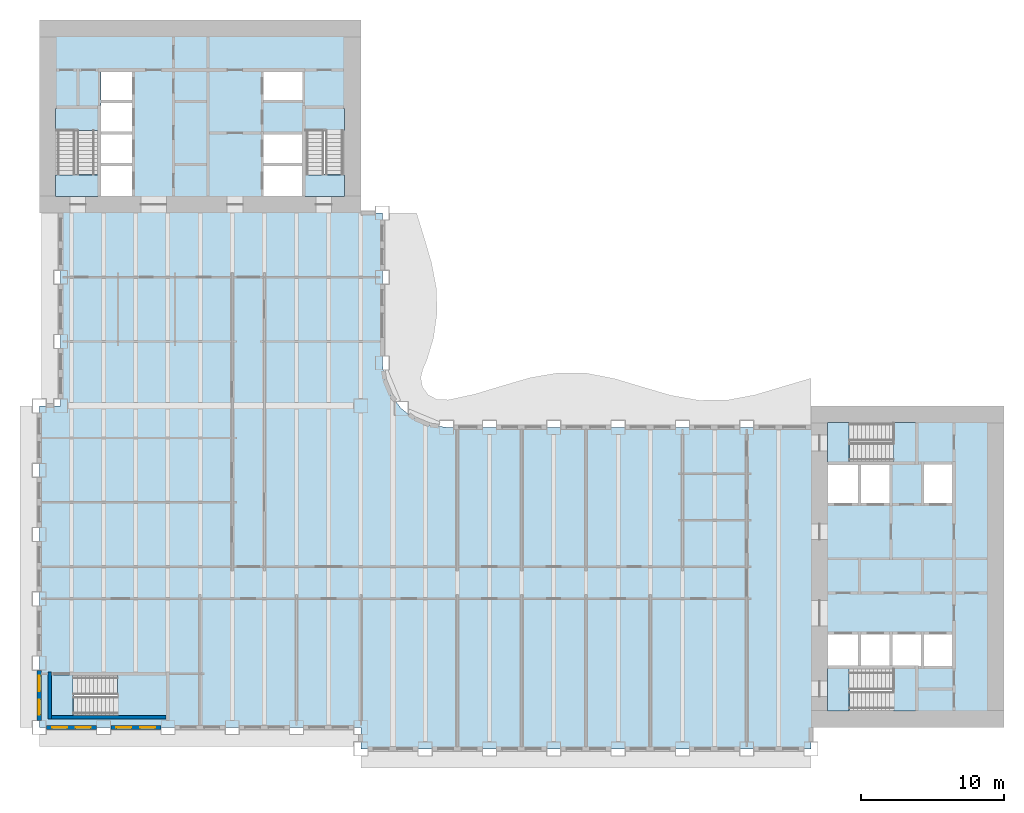
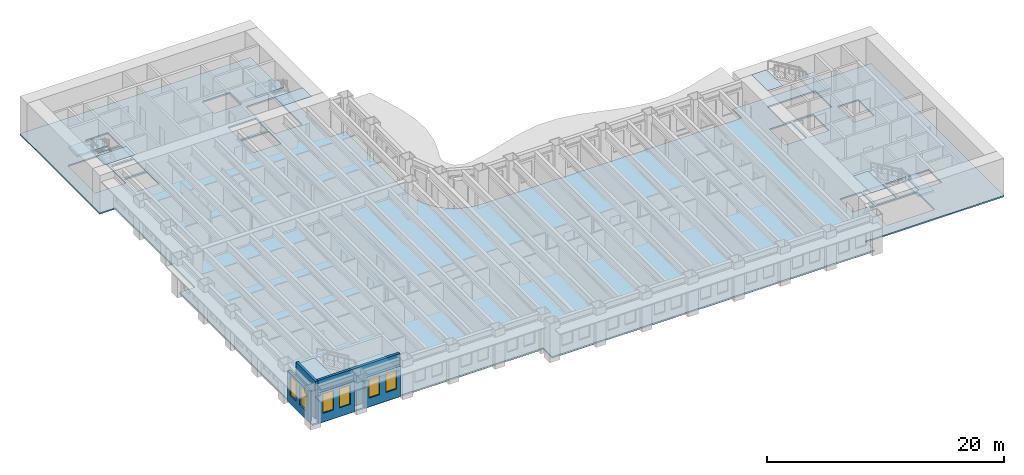
# One storey, part 2 of 16: 11 slabs, 6 windows, 5 walls, 6 openings, 5 elements without a shape of their own.
"""IFC4 building model written with IfcOpenShell, lengths in metres."""

from ifc_helpers import new_model, si_unit, direction, frame, frame_2d, origin, place, context, subcontext, project, spatial, polyline, rectangle, outline, extrude, material, layer, layer_set, type_object, element, fill, aggregate, save


model = new_model("IFC4")

# Units and contexts
model_context = context("Model", 3, precision=1e-05, world=origin(), true_north=direction((0.0, 1.0)))
body_context = subcontext(model_context, "Body", "Model", "MODEL_VIEW")
ifc_project = project(units=[si_unit("LENGTHUNIT", "METRE"), si_unit("AREAUNIT", "SQUARE_METRE"), si_unit("VOLUMEUNIT", "CUBIC_METRE"), si_unit("PLANEANGLEUNIT", "RADIAN"), si_unit("MASSUNIT", "GRAM", prefix="KILO")], contexts=[model_context])

# Site, building, storey
site_placement = place(None, origin())
site = spatial("IfcSite", under=ifc_project, at=site_placement, CompositionType="ELEMENT")
building_placement = place(site_placement, origin())
building = spatial("IfcBuilding", under=site, at=building_placement, Name="Sennacour Bend Tower", CompositionType="ELEMENT")
storey_placement = place(building_placement, frame((0.0, 0.0, 99.0)))
storey = spatial("IfcBuildingStorey", under=building, at=storey_placement, Name="L22", CompositionType="ELEMENT", Elevation=99.0)

# Slabs
ifc_material_1 = material(Name="Concrete C30/37", Category="concrete")
ifc_layer_1 = layer(ifc_material_1, 0.14990234375, Name="Concrete C30/37", Category="concrete")
ifc_layer_set_1 = layer_set([ifc_layer_1], Name="Concrete C30/37")
slab_type_1 = type_object("IfcSlabType", Name="Floor slab 150", PredefinedType="FLOOR", material=ifc_layer_set_1)
slab_1_placement = place(storey_placement, frame((0.0, 0.0, -0.14990234375)))
element("IfcSlab", 1, at=slab_1_placement, inside=storey, type_object=slab_type_1, Name="Floor slab L22-01", PredefinedType="FLOOR", context=body_context, shape_type="SweptSolid", body=[
    extrude(outline(polyline([(22.5, 0.0), (0.0, 0.0), (0.0, 22.5), (1.5, 22.5), (1.5, 36.0), (0.0, 36.0), (0.0, 49.5), (22.5, 49.5), (22.5, 36.0), (24.0, 36.0), (24.0, 25.5), (24.1533203125, 24.335205078125), (24.602783203125, 23.25), (25.318115234375, 22.318115234375), (26.25, 21.602783203125), (27.335205078125, 21.1533203125), (28.5, 21.0), (54.0, 21.0), (54.0, 22.5), (67.5, 22.5), (67.5, 0.0), (54.0, 0.0), (54.0, -1.5), (22.5, -1.5), (22.5, 0.0)]), holes=[polyline([(8.800048828125, 0.949951171875), (8.800048828125, 3.5), (2.429931640625, 3.5), (2.429931640625, 0.949951171875), (8.800048828125, 0.949951171875)]), polyline([(6.5, 37.199951171875), (6.5, 39.300048828125), (4.300048828125, 39.300048828125), (4.300048828125, 37.199951171875), (6.5, 37.199951171875)]), polyline([(18.39990234375, 37.199951171875), (18.39990234375, 39.300048828125), (15.699951171875, 39.300048828125), (15.699951171875, 37.199951171875), (18.39990234375, 37.199951171875)]), polyline([(6.5, 39.5), (6.5, 41.5), (4.300048828125, 41.5), (4.300048828125, 39.5), (6.5, 39.5)]), polyline([(18.39990234375, 39.5), (18.39990234375, 41.5), (15.699951171875, 41.5), (15.699951171875, 39.5), (18.39990234375, 39.5)]), polyline([(4.125, 38.72998046875), (4.125, 43.39990234375), (1.14990234375, 43.39990234375), (1.14990234375, 38.72998046875), (4.125, 38.72998046875)]), polyline([(21.35009765625, 38.72998046875), (21.35009765625, 43.39990234375), (18.574951171875, 43.39990234375), (18.574951171875, 38.72998046875), (21.35009765625, 38.72998046875)]), polyline([(4.300048828125, 41.699951171875), (6.5, 41.699951171875), (6.5, 43.699951171875), (4.300048828125, 43.699951171875), (4.300048828125, 41.699951171875)]), polyline([(4.300048828125, 43.89990234375), (6.5, 43.89990234375), (6.5, 45.89990234375), (4.300048828125, 45.89990234375), (4.300048828125, 43.89990234375)]), polyline([(18.39990234375, 43.89990234375), (18.39990234375, 45.89990234375), (15.699951171875, 45.89990234375), (15.699951171875, 43.89990234375), (18.39990234375, 43.89990234375)]), polyline([(61.39990234375, 1.14990234375), (61.39990234375, 4.125), (56.72998046875, 4.125), (56.72998046875, 1.14990234375), (61.39990234375, 1.14990234375)]), polyline([(57.300048828125, 4.300048828125), (57.300048828125, 6.5), (55.199951171875, 6.5), (55.199951171875, 4.300048828125), (57.300048828125, 4.300048828125)]), polyline([(57.5, 4.300048828125), (59.5, 4.300048828125), (59.5, 6.5), (57.5, 6.5), (57.5, 4.300048828125)]), polyline([(59.699951171875, 4.300048828125), (61.699951171875, 4.300048828125), (61.699951171875, 6.5), (59.699951171875, 6.5), (59.699951171875, 4.300048828125)]), polyline([(63.89990234375, 4.300048828125), (63.89990234375, 6.5), (61.89990234375, 6.5), (61.89990234375, 4.300048828125), (63.89990234375, 4.300048828125)]), polyline([(57.300048828125, 15.699951171875), (57.300048828125, 18.39990234375), (55.199951171875, 18.39990234375), (55.199951171875, 15.699951171875), (57.300048828125, 15.699951171875)]), polyline([(59.5, 15.699951171875), (59.5, 18.39990234375), (57.5, 18.39990234375), (57.5, 15.699951171875), (59.5, 15.699951171875)]), polyline([(61.89990234375, 15.699951171875), (63.89990234375, 15.699951171875), (63.89990234375, 18.39990234375), (61.89990234375, 18.39990234375), (61.89990234375, 15.699951171875)]), polyline([(56.72998046875, 18.574951171875), (61.39990234375, 18.574951171875), (61.39990234375, 21.35009765625), (56.72998046875, 21.35009765625), (56.72998046875, 18.574951171875)])]), origin(), (0.0, 0.0, 1.0), 0.14990234375),
])
ifc_material_2 = material(Name="Concrete C40/50", Category="concrete")
ifc_layer_2 = layer(ifc_material_2, 0.034912109375, Name="Concrete C40/50", Category="concrete")
ifc_layer_set_2 = layer_set([ifc_layer_2], Name="Concrete C40/50")
slab_type_2 = type_object("IfcSlabType", Name="Stair arrival nib 35", PredefinedType="FLOOR", material=ifc_layer_set_2)
slab_2_placement = place(storey_placement, frame((0.0, 0.0, 3.815185546875)))
element("IfcSlab", 2, at=slab_2_placement, inside=storey, type_object=slab_type_2, Name="L22 SA1 stair arrival nib", PredefinedType="FLOOR", context=body_context, shape_type="SweptSolid", body=[
    extrude(outline(polyline([(56.64208984375, 4.125), (55.14990234375, 4.125), (55.14990234375, 1.14990234375), (56.64208984375, 1.14990234375), (56.64208984375, 4.125)])), origin(), (0.0, 0.0, 1.0), 0.034912109375),
])
slab_3_placement = place(storey_placement, frame((0.0, 0.0, 3.815185546875)))
element("IfcSlab", 3, at=slab_3_placement, inside=storey, type_object=slab_type_2, Name="L22 SA2 stair arrival nib", PredefinedType="FLOOR", context=body_context, shape_type="SweptSolid", body=[
    extrude(outline(polyline([(56.64208984375, 21.35009765625), (55.14990234375, 21.35009765625), (55.14990234375, 18.574951171875), (56.64208984375, 18.574951171875), (56.64208984375, 21.35009765625)])), origin(), (0.0, 0.0, 1.0), 0.034912109375),
])
slab_4_placement = place(storey_placement, frame((0.0, 0.0, 3.815185546875)))
element("IfcSlab", 4, at=slab_4_placement, inside=storey, type_object=slab_type_2, Name="L22 SB1 stair arrival nib", PredefinedType="FLOOR", context=body_context, shape_type="SweptSolid", body=[
    extrude(outline(polyline([(1.14990234375, 38.64208984375), (1.14990234375, 37.14990234375), (4.125, 37.14990234375), (4.125, 38.64208984375), (1.14990234375, 38.64208984375)])), origin(), (0.0, 0.0, 1.0), 0.034912109375),
])
slab_5_placement = place(storey_placement, frame((0.0, 0.0, 3.815185546875)))
element("IfcSlab", 5, at=slab_5_placement, inside=storey, type_object=slab_type_2, Name="L22 SB2 stair arrival nib", PredefinedType="FLOOR", context=body_context, shape_type="SweptSolid", body=[
    extrude(outline(polyline([(18.574951171875, 38.64208984375), (18.574951171875, 37.14990234375), (21.35009765625, 37.14990234375), (21.35009765625, 38.64208984375), (18.574951171875, 38.64208984375)])), origin(), (0.0, 0.0, 1.0), 0.034912109375),
])
slab_6_placement = place(storey_placement, frame((0.0, 0.0, 3.815185546875)))
element("IfcSlab", 6, at=slab_6_placement, inside=storey, type_object=slab_type_2, Name="L22 SK1 stair arrival nib", PredefinedType="FLOOR", context=body_context, shape_type="SweptSolid", body=[
    extrude(outline(polyline([(2.342041015625, 3.675048828125), (0.800048828125, 3.675048828125), (0.800048828125, 0.800048828125), (2.342041015625, 0.800048828125), (2.342041015625, 3.675048828125)])), origin(), (0.0, 0.0, 1.0), 0.034912109375),
])

# Stair, slab
stair_type = type_object("IfcStairType", Name="ST-DOGLEG", PredefinedType="HALF_TURN_STAIR", material=ifc_material_2)
stair_1_placement = place(storey_placement, origin())
stair_1 = element("IfcStair", 7, at=stair_1_placement, inside=storey, type_object=stair_type, Name="L22 Exit stair A1", PredefinedType="HALF_TURN_STAIR")
ifc_layer_3 = layer(ifc_material_2, 0.199951171875, Name="Concrete C40/50", Category="concrete")
ifc_layer_set_3 = layer_set([ifc_layer_3], Name="Concrete C40/50")
slab_type_3 = type_object("IfcSlabType", Name="Stair landing 200", PredefinedType="LANDING", material=ifc_layer_set_3)
slab_7_placement = place(storey_placement, frame((0.0, 0.0, 1.800048828125)))
slab_7 = element("IfcSlab", 8, at=slab_7_placement, type_object=slab_type_3, Name="SA1 landing 1", PredefinedType="LANDING", context=body_context, shape_type="SweptSolid", body=[
    extrude(outline(polyline([(59.780029296875, 1.14990234375), (61.324951171875, 1.14990234375), (61.324951171875, 4.125), (59.780029296875, 4.125), (59.780029296875, 1.14990234375)])), origin(), (0.0, 0.0, 1.0), 0.199951171875),
])
aggregate(stair_1, [slab_7])

stair_2_placement = place(storey_placement, origin())
stair_2 = element("IfcStair", 9, at=stair_2_placement, inside=storey, type_object=stair_type, Name="L22 Exit stair A2", PredefinedType="HALF_TURN_STAIR")
slab_8_placement = place(storey_placement, frame((0.0, 0.0, 1.800048828125)))
slab_8 = element("IfcSlab", 10, at=slab_8_placement, type_object=slab_type_3, Name="SA2 landing 1", PredefinedType="LANDING", context=body_context, shape_type="SweptSolid", body=[
    extrude(outline(polyline([(59.780029296875, 18.574951171875), (61.324951171875, 18.574951171875), (61.324951171875, 21.35009765625), (59.780029296875, 21.35009765625), (59.780029296875, 18.574951171875)])), origin(), (0.0, 0.0, 1.0), 0.199951171875),
])
aggregate(stair_2, [slab_8])

stair_3_placement = place(storey_placement, origin())
stair_3 = element("IfcStair", 11, at=stair_3_placement, inside=storey, type_object=stair_type, Name="L22 Exit stair B1", PredefinedType="HALF_TURN_STAIR")
slab_9_placement = place(storey_placement, frame((0.0, 0.0, 1.800048828125)))
slab_9 = element("IfcSlab", 12, at=slab_9_placement, type_object=slab_type_3, Name="SB1 landing 1", PredefinedType="LANDING", context=body_context, shape_type="SweptSolid", body=[
    extrude(outline(polyline([(1.14990234375, 41.780029296875), (4.125, 41.780029296875), (4.125, 43.324951171875), (1.14990234375, 43.324951171875), (1.14990234375, 41.780029296875)])), origin(), (0.0, 0.0, 1.0), 0.199951171875),
])
aggregate(stair_3, [slab_9])

stair_4_placement = place(storey_placement, origin())
stair_4 = element("IfcStair", 13, at=stair_4_placement, inside=storey, type_object=stair_type, Name="L22 Exit stair B2", PredefinedType="HALF_TURN_STAIR")
slab_10_placement = place(storey_placement, frame((0.0, 0.0, 1.800048828125)))
slab_10 = element("IfcSlab", 14, at=slab_10_placement, type_object=slab_type_3, Name="SB2 landing 1", PredefinedType="LANDING", context=body_context, shape_type="SweptSolid", body=[
    extrude(outline(polyline([(18.574951171875, 41.780029296875), (21.35009765625, 41.780029296875), (21.35009765625, 43.324951171875), (18.574951171875, 43.324951171875), (18.574951171875, 41.780029296875)])), origin(), (0.0, 0.0, 1.0), 0.199951171875),
])
aggregate(stair_4, [slab_10])

stair_5_placement = place(storey_placement, origin())
stair_5 = element("IfcStair", 15, at=stair_5_placement, inside=storey, type_object=stair_type, Name="L22 Exit stair K1", PredefinedType="HALF_TURN_STAIR")
slab_11_placement = place(storey_placement, frame((0.0, 0.0, 1.800048828125)))
slab_11 = element("IfcSlab", 16, at=slab_11_placement, type_object=slab_type_3, Name="SK1 landing 1", PredefinedType="LANDING", context=body_context, shape_type="SweptSolid", body=[
    extrude(outline(polyline([(5.47998046875, 0.800048828125), (8.925048828125, 0.800048828125), (8.925048828125, 3.675048828125), (5.47998046875, 3.675048828125), (5.47998046875, 0.800048828125)])), origin(), (0.0, 0.0, 1.0), 0.199951171875),
])
aggregate(stair_5, [slab_11])

# Wall, openings, windows
ifc_material_3 = material(Name="Warm limestone cladding", Category="masonry")
ifc_layer_4 = layer(ifc_material_3, 0.050048828125, Name="Warm limestone cladding", Category="masonry")
ifc_material_4 = material(Name="Precast concrete C40/50", Category="concrete")
ifc_layer_5 = layer(ifc_material_4, 0.25, Name="Precast concrete C40/50", Category="concrete")
ifc_layer_set_4 = layer_set([ifc_layer_4, ifc_layer_5], Name="Precast concrete C40/50 with limestone cladding")
wall_type_1 = type_object("IfcWallType", Name="STONE-CLAD PRECAST SPANDREL 300", PredefinedType="STANDARD", material=ifc_layer_set_4)
wall_1_placement = place(storey_placement, frame((0.0, 4.0, 0.0), z_axis=(0.0, 0.0, 1.0), x_axis=(0.0, -1.0, 0.0)))
wall_1 = element("IfcWall", 17, at=wall_1_placement, inside=storey, type_object=wall_type_1, Name="Stone spandrel and pier wall L22 21.04", PredefinedType="STANDARD", context=body_context, shape_type="SweptSolid", body=[
    extrude(rectangle(XDim=3.5, YDim=0.300048828125, at=frame_2d((1.75, 0.0))), origin(), (0.0, 0.0, 1.0), 3.154052734375),
])
opening_1_placement = place(wall_1_placement, frame((0.39990234375, 0.0, 0.89990234375)))
opening_1 = element("IfcOpeningElement", 18, at=opening_1_placement, cuts=wall_1, Name="Opening W13", PredefinedType="OPENING", context=body_context, shape_type="SweptSolid", body=[
    extrude(rectangle(XDim=1.050048828125, YDim=2.0, at=frame_2d((0.52490234375, 1.0))), frame((0.0, 0.16015625, 0.0), z_axis=(0.0, -1.0, 0.0), x_axis=(1.0, 0.0, 0.0)), (0.0, 0.0, 1.0), 0.320068359375),
])
opening_2_placement = place(wall_1_placement, frame((2.050048828125, 0.0, 0.89990234375)))
opening_2 = element("IfcOpeningElement", 19, at=opening_2_placement, cuts=wall_1, Name="Opening W13", PredefinedType="OPENING", context=body_context, shape_type="SweptSolid", body=[
    extrude(rectangle(XDim=1.050048828125, YDim=2.0, at=frame_2d((0.52490234375, 1.0))), frame((0.0, 0.16015625, 0.0), z_axis=(0.0, -1.0, 0.0), x_axis=(1.0, 0.0, 0.0)), (0.0, 0.0, 1.0), 0.320068359375),
])
ifc_material_5 = material(Name="Clear low-emissivity glass", Category="glass")
window_type = type_object("IfcWindowType", Name="WIN-RIBBON-1050x2000", PartitioningType="SINGLE_PANEL", PredefinedType="WINDOW", material=ifc_material_5)
window_1_placement = place(opening_1_placement, origin())
window_1 = element("IfcWindow", 20, at=window_1_placement, inside=storey, type_object=window_type, Name="Ribbon window L22 21.04.0", OverallHeight=2.0, OverallWidth=1.050048828125, PartitioningType="SINGLE_PANEL", PredefinedType="WINDOW", context=body_context, shape_type="SweptSolid", body=[
    extrude(rectangle(XDim=1.050048828125, YDim=2.0, at=frame_2d((0.52490234375, 1.0))), frame((0.0, 0.030029296875, 0.0), z_axis=(0.0, -1.0, 0.0), x_axis=(1.0, 0.0, 0.0)), (0.0, 0.0, 1.0), 0.06005859375),
])
fill(opening_1, window_1)
window_2_placement = place(opening_2_placement, origin())
window_2 = element("IfcWindow", 21, at=window_2_placement, inside=storey, type_object=window_type, Name="Ribbon window L22 21.04.1", OverallHeight=2.0, OverallWidth=1.050048828125, PartitioningType="SINGLE_PANEL", PredefinedType="WINDOW", context=body_context, shape_type="SweptSolid", body=[
    extrude(rectangle(XDim=1.050048828125, YDim=2.0, at=frame_2d((0.52490234375, 1.0))), frame((0.0, 0.030029296875, 0.0), z_axis=(0.0, -1.0, 0.0), x_axis=(1.0, 0.0, 0.0)), (0.0, 0.0, 1.0), 0.06005859375),
])
fill(opening_2, window_2)

wall_2_placement = place(storey_placement, frame((0.5, 0.0, 0.0), z_axis=(0.0, 0.0, 1.0), x_axis=(1.0, 0.0, 0.0)))
wall_2 = element("IfcWall", 22, at=wall_2_placement, inside=storey, type_object=wall_type_1, Name="Stone spandrel and pier wall L22 22.00", PredefinedType="STANDARD", context=body_context, shape_type="SweptSolid", body=[
    extrude(rectangle(XDim=3.5, YDim=0.300048828125, at=frame_2d((1.75, 0.0))), origin(), (0.0, 0.0, 1.0), 3.154052734375),
])
opening_3_placement = place(wall_2_placement, frame((0.39990234375, 0.0, 0.89990234375)))
opening_3 = element("IfcOpeningElement", 23, at=opening_3_placement, cuts=wall_2, Name="Opening W13", PredefinedType="OPENING", context=body_context, shape_type="SweptSolid", body=[
    extrude(rectangle(XDim=1.050048828125, YDim=2.0, at=frame_2d((0.52490234375, 1.0))), frame((0.0, 0.16015625, 0.0), z_axis=(0.0, -1.0, 0.0), x_axis=(1.0, 0.0, 0.0)), (0.0, 0.0, 1.0), 0.320068359375),
])
opening_4_placement = place(wall_2_placement, frame((2.050048828125, 0.0, 0.89990234375)))
opening_4 = element("IfcOpeningElement", 24, at=opening_4_placement, cuts=wall_2, Name="Opening W13", PredefinedType="OPENING", context=body_context, shape_type="SweptSolid", body=[
    extrude(rectangle(XDim=1.050048828125, YDim=2.0, at=frame_2d((0.52490234375, 1.0))), frame((0.0, 0.16015625, 0.0), z_axis=(0.0, -1.0, 0.0), x_axis=(1.0, 0.0, 0.0)), (0.0, 0.0, 1.0), 0.320068359375),
])
window_3_placement = place(opening_3_placement, origin())
window_3 = element("IfcWindow", 25, at=window_3_placement, inside=storey, type_object=window_type, Name="Ribbon window L22 22.00.0", OverallHeight=2.0, OverallWidth=1.050048828125, PartitioningType="SINGLE_PANEL", PredefinedType="WINDOW", context=body_context, shape_type="SweptSolid", body=[
    extrude(rectangle(XDim=1.050048828125, YDim=2.0, at=frame_2d((0.52490234375, 1.0))), frame((0.0, 0.030029296875, 0.0), z_axis=(0.0, -1.0, 0.0), x_axis=(1.0, 0.0, 0.0)), (0.0, 0.0, 1.0), 0.06005859375),
])
fill(opening_3, window_3)
window_4_placement = place(opening_4_placement, origin())
window_4 = element("IfcWindow", 26, at=window_4_placement, inside=storey, type_object=window_type, Name="Ribbon window L22 22.00.1", OverallHeight=2.0, OverallWidth=1.050048828125, PartitioningType="SINGLE_PANEL", PredefinedType="WINDOW", context=body_context, shape_type="SweptSolid", body=[
    extrude(rectangle(XDim=1.050048828125, YDim=2.0, at=frame_2d((0.52490234375, 1.0))), frame((0.0, 0.030029296875, 0.0), z_axis=(0.0, -1.0, 0.0), x_axis=(1.0, 0.0, 0.0)), (0.0, 0.0, 1.0), 0.06005859375),
])
fill(opening_4, window_4)

wall_3_placement = place(storey_placement, frame((5.0, 0.0, 0.0), z_axis=(0.0, 0.0, 1.0), x_axis=(1.0, 0.0, 0.0)))
wall_3 = element("IfcWall", 27, at=wall_3_placement, inside=storey, type_object=wall_type_1, Name="Stone spandrel and pier wall L22 22.01", PredefinedType="STANDARD", context=body_context, shape_type="SweptSolid", body=[
    extrude(rectangle(XDim=3.5, YDim=0.300048828125, at=frame_2d((1.75, 0.0))), origin(), (0.0, 0.0, 1.0), 3.154052734375),
])
opening_5_placement = place(wall_3_placement, frame((0.39990234375, 0.0, 0.89990234375)))
opening_5 = element("IfcOpeningElement", 28, at=opening_5_placement, cuts=wall_3, Name="Opening W13", PredefinedType="OPENING", context=body_context, shape_type="SweptSolid", body=[
    extrude(rectangle(XDim=1.050048828125, YDim=2.0, at=frame_2d((0.52490234375, 1.0))), frame((0.0, 0.16015625, 0.0), z_axis=(0.0, -1.0, 0.0), x_axis=(1.0, 0.0, 0.0)), (0.0, 0.0, 1.0), 0.320068359375),
])
opening_6_placement = place(wall_3_placement, frame((2.050048828125, 0.0, 0.89990234375)))
opening_6 = element("IfcOpeningElement", 29, at=opening_6_placement, cuts=wall_3, Name="Opening W13", PredefinedType="OPENING", context=body_context, shape_type="SweptSolid", body=[
    extrude(rectangle(XDim=1.050048828125, YDim=2.0, at=frame_2d((0.52490234375, 1.0))), frame((0.0, 0.16015625, 0.0), z_axis=(0.0, -1.0, 0.0), x_axis=(1.0, 0.0, 0.0)), (0.0, 0.0, 1.0), 0.320068359375),
])
window_5_placement = place(opening_5_placement, origin())
window_5 = element("IfcWindow", 30, at=window_5_placement, inside=storey, type_object=window_type, Name="Ribbon window L22 22.01.0", OverallHeight=2.0, OverallWidth=1.050048828125, PartitioningType="SINGLE_PANEL", PredefinedType="WINDOW", context=body_context, shape_type="SweptSolid", body=[
    extrude(rectangle(XDim=1.050048828125, YDim=2.0, at=frame_2d((0.52490234375, 1.0))), frame((0.0, 0.030029296875, 0.0), z_axis=(0.0, -1.0, 0.0), x_axis=(1.0, 0.0, 0.0)), (0.0, 0.0, 1.0), 0.06005859375),
])
fill(opening_5, window_5)
window_6_placement = place(opening_6_placement, origin())
window_6 = element("IfcWindow", 31, at=window_6_placement, inside=storey, type_object=window_type, Name="Ribbon window L22 22.01.1", OverallHeight=2.0, OverallWidth=1.050048828125, PartitioningType="SINGLE_PANEL", PredefinedType="WINDOW", context=body_context, shape_type="SweptSolid", body=[
    extrude(rectangle(XDim=1.050048828125, YDim=2.0, at=frame_2d((0.52490234375, 1.0))), frame((0.0, 0.030029296875, 0.0), z_axis=(0.0, -1.0, 0.0), x_axis=(1.0, 0.0, 0.0)), (0.0, 0.0, 1.0), 0.06005859375),
])
fill(opening_6, window_6)

# Walls
ifc_material_6 = material(Name="Concrete C60/75", Category="concrete")
ifc_layer_6 = layer(ifc_material_6, 0.25, Name="Concrete C60/75", Category="concrete")
ifc_layer_set_5 = layer_set([ifc_layer_6], Name="Concrete C60/75")
wall_type_2 = type_object("IfcWallType", Name="Stair wall 250", PredefinedType="SHEAR", material=ifc_layer_set_5)
wall_4_placement = place(storey_placement, frame((0.72509765625, 0.60009765625, 0.0), z_axis=(0.0, 0.0, 1.0), x_axis=(0.0, 1.0, 0.0)))
element("IfcWall", 32, at=wall_4_placement, inside=storey, type_object=wall_type_2, Name="P-L22-W002", PredefinedType="SHEAR", context=body_context, shape_type="SweptSolid", body=[
    extrude(rectangle(XDim=3.27490234375, YDim=0.25, at=frame_2d((1.637451171875, 0.0))), origin(), (0.0, 0.0, 1.0), 3.85009765625),
])
wall_5_placement = place(storey_placement, frame((0.85009765625, 0.72509765625, 0.0), z_axis=(0.0, 0.0, 1.0), x_axis=(1.0, 0.0, 0.0)))
element("IfcWall", 33, at=wall_5_placement, inside=storey, type_object=wall_type_2, Name="P-L22-W050", PredefinedType="SHEAR", context=body_context, shape_type="SweptSolid", body=[
    extrude(rectangle(XDim=8.02490234375, YDim=0.25, at=frame_2d((4.012451171875, 0.0))), origin(), (0.0, 0.0, 1.0), 3.85009765625),
])

save(model, "model.ifc")
